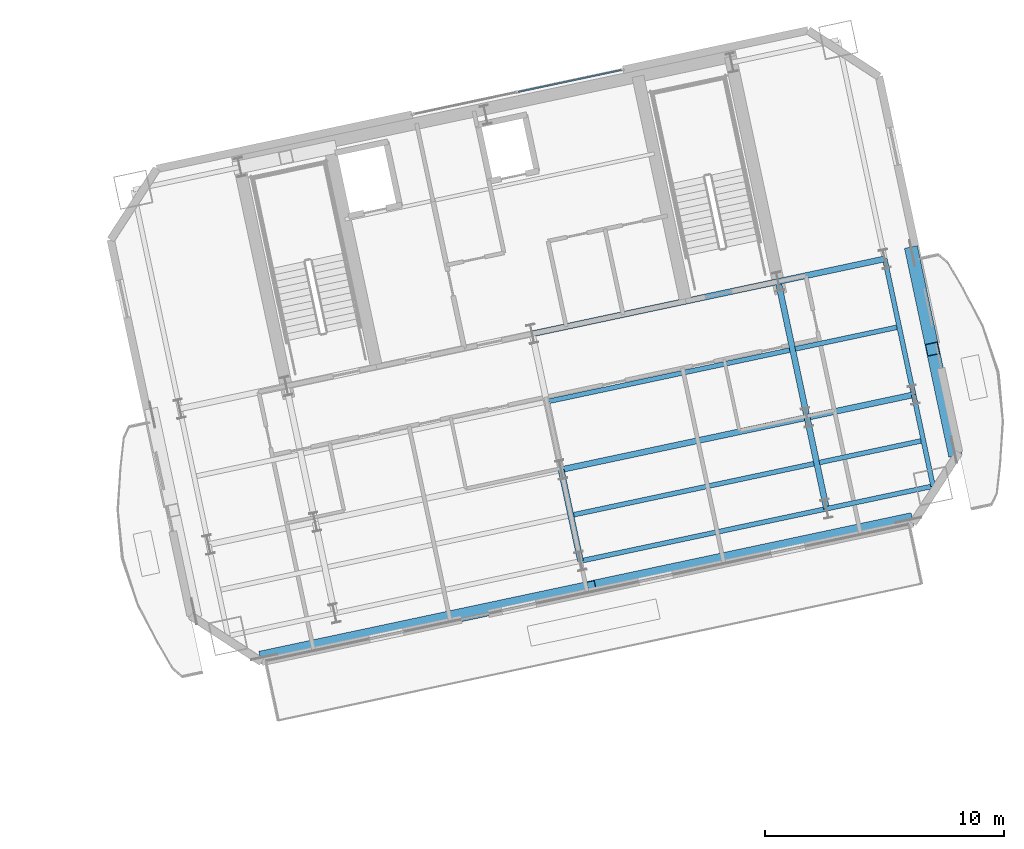
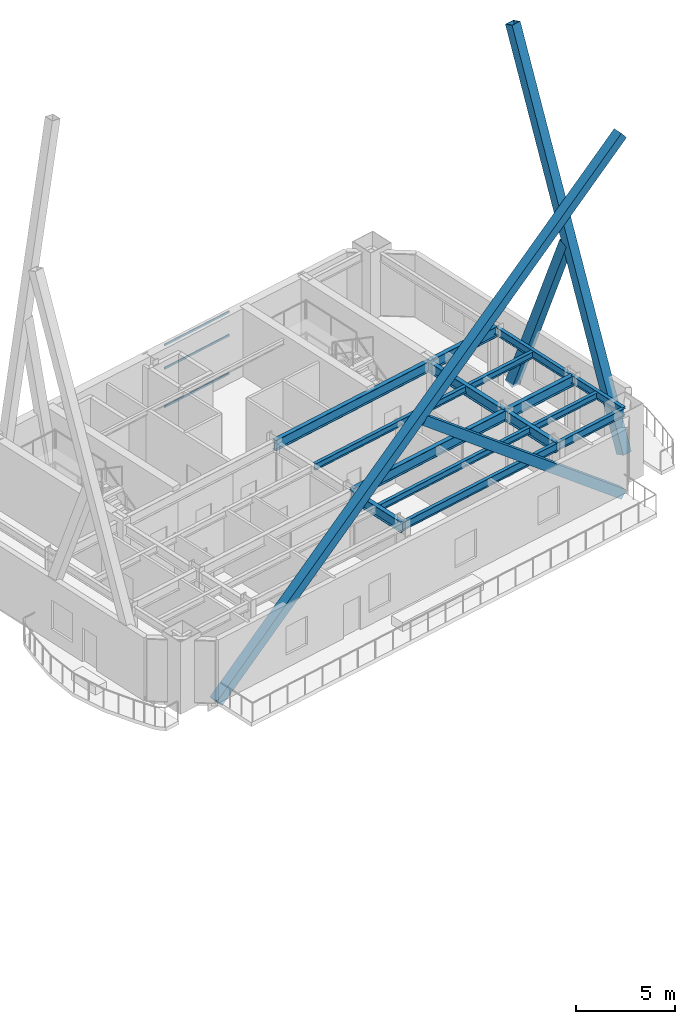
# One storey, part 7 of 22: 15 beams, 7 members, 1 element without a shape of its own.
"""IFC4 building model written with IfcOpenShell, lengths in metres."""

from ifc_helpers import new_model, si_unit, direction, frame, origin, origin_2d, place, context, subcontext, project, spatial, hollow_rectangle, i_section, extrude, material, layer, layer_set, material_profile, profile_set, type_object, element, aggregate, save


model = new_model("IFC4")

# Units and contexts
model_context = context("Model", 3, precision=1e-05, world=origin(), true_north=direction((0.0, 1.0)))
body_context = subcontext(model_context, "Body", "Model", "MODEL_VIEW")
ifc_project = project(units=[si_unit("LENGTHUNIT", "METRE"), si_unit("AREAUNIT", "SQUARE_METRE"), si_unit("VOLUMEUNIT", "CUBIC_METRE"), si_unit("PLANEANGLEUNIT", "RADIAN"), si_unit("MASSUNIT", "GRAM", prefix="KILO")], contexts=[model_context])

# Site, building, storey
site_placement = place(None, origin())
site = spatial("IfcSite", under=ifc_project, at=site_placement, CompositionType="ELEMENT")
building_placement = place(site_placement, origin())
building = spatial("IfcBuilding", under=site, at=building_placement, Name="Haevon Station Towers", CompositionType="ELEMENT")
storey_placement = place(building_placement, frame((0.0, 0.0, 133.800048828125)))
storey = spatial("IfcBuildingStorey", under=building, at=storey_placement, Name="L36", CompositionType="ELEMENT", Elevation=133.800048828125)

# Beams
ifc_material_1 = material(Name="Steel S355", Category="steel")
ifc_material_profile_1 = material_profile(ifc_material_1, i_section(OverallWidth=0.25, OverallDepth=0.64990234375, WebThickness=0.012939453125, FlangeThickness=0.02197265625, at=origin_2d()), Name="H-650x250x13x22")
ifc_profile_set_1 = profile_set([ifc_material_profile_1], Name="Steel S355")
beam_type_1 = type_object("IfcBeamType", Name="BM-G650", PredefinedType="BEAM", material=ifc_profile_set_1)
beam_1_placement = place(storey_placement, frame((110.228759765625, 33.9521484375, 3.594970703125), z_axis=(0.978146794194, 0.207915485254, 0.0), x_axis=(-0.207915485254, 0.978146794194, 0.0)))
element("IfcBeam", 1, at=beam_1_placement, inside=storey, type_object=beam_type_1, Name="BM-T2U-L36-02-03", PredefinedType="BEAM", context=body_context, shape_type="SweptSolid", body=[
    extrude(i_section(OverallWidth=0.25, OverallDepth=0.64990234375, WebThickness=0.012939453125, FlangeThickness=0.02197265625, at=origin_2d()), origin(), (0.0, 0.0, 1.0), 10.5),
])
beam_2_placement = place(storey_placement, frame((120.499267578125, 36.13525390625, 3.594970703125), z_axis=(0.978146576304, 0.207916510322, 0.0), x_axis=(-0.207916510322, 0.978146576304, 0.0)))
element("IfcBeam", 2, at=beam_2_placement, inside=storey, type_object=beam_type_1, Name="BM-T2U-L36-02-04", PredefinedType="BEAM", context=body_context, shape_type="SweptSolid", body=[
    extrude(i_section(OverallWidth=0.25, OverallDepth=0.64990234375, WebThickness=0.012939453125, FlangeThickness=0.02197265625, at=origin_2d()), origin(), (0.0, 0.0, 1.0), 4.550048828125),
])
beam_3_placement = place(storey_placement, frame((109.02294921875, 39.62548828125, 3.594970703125), z_axis=(0.978146794194, 0.207915485254, 0.0), x_axis=(-0.207915485254, 0.978146794194, 0.0)))
element("IfcBeam", 3, at=beam_3_placement, inside=storey, type_object=beam_type_1, Name="BM-T2U-L36-03-03", PredefinedType="BEAM", context=body_context, shape_type="SweptSolid", body=[
    extrude(i_section(OverallWidth=0.25, OverallDepth=0.64990234375, WebThickness=0.012939453125, FlangeThickness=0.02197265625, at=origin_2d()), origin(), (0.0, 0.0, 1.0), 10.5),
])
beam_4_placement = place(storey_placement, frame((119.29345703125, 41.80859375, 3.594970703125), z_axis=(0.978146576304, 0.207916510322, 0.0), x_axis=(-0.207916510322, 0.978146576304, 0.0)))
element("IfcBeam", 4, at=beam_4_placement, inside=storey, type_object=beam_type_1, Name="BM-T2U-L36-03-04", PredefinedType="BEAM", context=body_context, shape_type="SweptSolid", body=[
    extrude(i_section(OverallWidth=0.25, OverallDepth=0.64990234375, WebThickness=0.012939453125, FlangeThickness=0.02197265625, at=origin_2d()), origin(), (0.0, 0.0, 1.0), 4.550048828125),
])
for number, where, z_axis, x_axis, name in (
    (5, (111.03955078125, 30.137451171875, 3.594970703125), (-0.207899934746, 0.97815009949, 0.0), (-0.97815009949, -0.207899934746, 0.0), "BM-T2V-L36-03-01"),
    (6, (121.310302734375, 32.320556640625, 3.594970703125), (-0.207959829392, 0.978137367326, 0.0), (-0.978137367326, -0.207959829392, 0.0), "BM-T2V-L36-04-01"),
):
    element("IfcBeam", number, at=place(storey_placement, frame(where, z_axis=z_axis, x_axis=x_axis)), inside=storey, type_object=beam_type_1, Name=name, PredefinedType="BEAM", context=body_context, shape_type="SweptSolid", body=[
        extrude(i_section(OverallWidth=0.25, OverallDepth=0.64990234375, WebThickness=0.012939453125, FlangeThickness=0.02197265625, at=origin_2d()), origin(), (0.0, 0.0, 1.0), 3.89990234375),
    ])
beam_5_placement = place(storey_placement, frame((120.499267578125, 36.13525390625, 3.594970703125), z_axis=(-0.207896009217, 0.97815093383, 0.0), x_axis=(-0.97815093383, -0.207896009217, 0.0)))
element("IfcBeam", 7, at=beam_5_placement, inside=storey, type_object=beam_type_1, Name="BM-T2V-L36-04-02", PredefinedType="BEAM", context=body_context, shape_type="SweptSolid", body=[
    extrude(i_section(OverallWidth=0.25, OverallDepth=0.64990234375, WebThickness=0.012939453125, FlangeThickness=0.02197265625, at=origin_2d()), origin(), (0.0, 0.0, 1.0), 5.800048828125),
])
ifc_material_profile_2 = material_profile(ifc_material_1, i_section(OverallWidth=0.199951171875, OverallDepth=0.39990234375, WebThickness=0.008056640625, FlangeThickness=0.012939453125, at=origin_2d()), Name="H-400x200x8x13")
ifc_profile_set_2 = profile_set([ifc_material_profile_2], Name="Steel S355")
beam_type_2 = type_object("IfcBeamType", Name="BM-J400", PredefinedType="JOIST", material=ifc_profile_set_2)
beam_6_placement = place(storey_placement, frame((110.74169921875, 32.067626953125, 3.719970703125), z_axis=(0.978145509903, 0.207921527161, 0.0), x_axis=(-0.207921527161, 0.978145509903, 0.0)))
element("IfcBeam", 8, at=beam_6_placement, inside=storey, type_object=beam_type_2, Name="BM-T2J-L36-01-03", PredefinedType="JOIST", context=body_context, shape_type="SweptSolid", body=[
    extrude(i_section(OverallWidth=0.199951171875, OverallDepth=0.39990234375, WebThickness=0.008056640625, FlangeThickness=0.012939453125, at=origin_2d()), origin(), (0.0, 0.0, 1.0), 10.280029296875),
])
beam_7_placement = place(storey_placement, frame((121.012451171875, 34.250732421875, 3.719970703125), z_axis=(0.978141078405, 0.207942373597, 0.0), x_axis=(-0.207942373597, 0.978141078405, 0.0)))
element("IfcBeam", 9, at=beam_7_placement, inside=storey, type_object=beam_type_2, Name="BM-T2J-L36-01-04", PredefinedType="JOIST", context=body_context, shape_type="SweptSolid", body=[
    extrude(i_section(OverallWidth=0.199951171875, OverallDepth=0.39990234375, WebThickness=0.008056640625, FlangeThickness=0.012939453125, at=origin_2d()), origin(), (0.0, 0.0, 1.0), 4.330078125),
])
beam_8_placement = place(storey_placement, frame((109.7333984375, 36.811767578125, 3.719970703125), z_axis=(0.978150339653, 0.207898804801, 0.0), x_axis=(-0.207898804801, 0.978150339653, 0.0)))
element("IfcBeam", 10, at=beam_8_placement, inside=storey, type_object=beam_type_2, Name="BM-T2J-L36-02-03", PredefinedType="JOIST", context=body_context, shape_type="SweptSolid", body=[
    extrude(i_section(OverallWidth=0.199951171875, OverallDepth=0.39990234375, WebThickness=0.008056640625, FlangeThickness=0.012939453125, at=origin_2d()), origin(), (0.0, 0.0, 1.0), 10.280029296875),
])
beam_9_placement = place(storey_placement, frame((120.00390625, 38.994873046875, 3.719970703125), z_axis=(0.978152545287, 0.207888427166, 0.0), x_axis=(-0.207888427166, 0.978152545287, 0.0)))
element("IfcBeam", 11, at=beam_9_placement, inside=storey, type_object=beam_type_2, Name="BM-T2J-L36-02-04", PredefinedType="JOIST", context=body_context, shape_type="SweptSolid", body=[
    extrude(i_section(OverallWidth=0.199951171875, OverallDepth=0.39990234375, WebThickness=0.008056640625, FlangeThickness=0.012939453125, at=origin_2d()), origin(), (0.0, 0.0, 1.0), 4.329833984375),
])
ifc_material_profile_3 = material_profile(ifc_material_1, i_section(OverallWidth=0.199951171875, OverallDepth=0.5, WebThickness=0.010009765625, FlangeThickness=0.01611328125, at=origin_2d()), Name="H-500x200x10x16")
ifc_profile_set_3 = profile_set([ifc_material_profile_3], Name="Steel S355")
beam_type_3 = type_object("IfcBeamType", Name="BM-SP500", PredefinedType="SPANDREL", material=ifc_profile_set_3)
beam_10_placement = place(storey_placement, frame((111.03955078125, 30.137451171875, 3.669921875), z_axis=(0.978147799298, 0.207910756646, 0.0), x_axis=(-0.207910756646, 0.978147799298, 0.0)))
element("IfcBeam", 12, at=beam_10_placement, inside=storey, type_object=beam_type_3, Name="BM-T2U-L36-01-03", PredefinedType="SPANDREL", context=body_context, shape_type="SweptSolid", body=[
    extrude(i_section(OverallWidth=0.199951171875, OverallDepth=0.5, WebThickness=0.010009765625, FlangeThickness=0.01611328125, at=origin_2d()), origin(), (0.0, 0.0, 1.0), 10.500244140625),
])
beam_11_placement = place(storey_placement, frame((121.310302734375, 32.320556640625, 3.669921875), z_axis=(0.978144256617, 0.207927423029, 0.0), x_axis=(-0.207927423029, 0.978144256617, 0.0)))
element("IfcBeam", 13, at=beam_11_placement, inside=storey, type_object=beam_type_3, Name="BM-T2U-L36-01-04", PredefinedType="SPANDREL", context=body_context, shape_type="SweptSolid", body=[
    extrude(i_section(OverallWidth=0.199951171875, OverallDepth=0.5, WebThickness=0.010009765625, FlangeThickness=0.01611328125, at=origin_2d()), origin(), (0.0, 0.0, 1.0), 4.5498046875),
])
beam_12_placement = place(storey_placement, frame((125.7607421875, 33.2666015625, 3.669921875), z_axis=(-0.207899934746, 0.97815009949, 0.0), x_axis=(-0.97815009949, -0.207899934746, 0.0)))
element("IfcBeam", 14, at=beam_12_placement, inside=storey, type_object=beam_type_3, Name="BM-T2V-L36-05-01", PredefinedType="SPANDREL", context=body_context, shape_type="SweptSolid", body=[
    extrude(i_section(OverallWidth=0.199951171875, OverallDepth=0.5, WebThickness=0.010009765625, FlangeThickness=0.01611328125, at=origin_2d()), origin(), (0.0, 0.0, 1.0), 3.89990234375),
])
beam_13_placement = place(storey_placement, frame((124.949951171875, 37.081298828125, 3.669921875), z_axis=(-0.207896009217, 0.97815093383, 0.0), x_axis=(-0.97815093383, -0.207896009217, 0.0)))
element("IfcBeam", 15, at=beam_13_placement, inside=storey, type_object=beam_type_3, Name="BM-T2V-L36-05-02", PredefinedType="SPANDREL", context=body_context, shape_type="SweptSolid", body=[
    extrude(i_section(OverallWidth=0.199951171875, OverallDepth=0.5, WebThickness=0.010009765625, FlangeThickness=0.01611328125, at=origin_2d()), origin(), (0.0, 0.0, 1.0), 5.800048828125),
])

# Curtain wall, members
ifc_material_2 = material(Name="Anodised aluminium and Low-E double glazing", Category="aluminium")
ifc_layer = layer(ifc_material_2, 0.179931640625)
ifc_layer_set = layer_set([ifc_layer], Name="Anodised aluminium and Low-E double glazing")
curtain_wall_type = type_object("IfcCurtainWallType", Name="CW-SYS5", PredefinedType="NOTDEFINED", material=ifc_layer_set)
curtain_wall_placement = place(storey_placement, origin())
curtain_wall = element("IfcCurtainWall", 16, at=curtain_wall_placement, inside=storey, type_object=curtain_wall_type, Name="L36 Curtain Wall CW-T2-L36-N", PredefinedType="NOTDEFINED")
ifc_material_3 = material(Name="Anodised aluminium 6063-T6", Category="aluminium")
ifc_material_profile_4 = material_profile(ifc_material_3, hollow_rectangle(XDim=0.06005859375, YDim=0.1201171875, WallThickness=0.0029296875, at=origin_2d()), Name="CWT-120x60x3")
ifc_profile_set_4 = profile_set([ifc_material_profile_4], Name="Anodised aluminium 6063-T6")
member_type_1 = type_object("IfcMemberType", Name="CWT-120", PredefinedType="USERDEFINED", material=ifc_profile_set_4)
member_1_placement = place(storey_placement, frame((108.4404296875, 49.72509765625, 0.030029296875), z_axis=(0.9781526595, 0.207887889768, 0.0), x_axis=(-0.207887889768, 0.9781526595, 0.0)))
member_1 = element("IfcMember", 17, at=member_1_placement, type_object=member_type_1, Name="CW-SYS5 transom 2.1", ObjectType="TRANSOM", PredefinedType="USERDEFINED", context=body_context, shape_type="SweptSolid", body=[
    extrude(hollow_rectangle(XDim=0.06005859375, YDim=0.1201171875, WallThickness=0.0029296875, at=origin_2d()), origin(), (0.0, 0.0, 1.0), 4.409912109375),
])
member_2_placement = place(storey_placement, frame((108.4404296875, 49.72509765625, 2.3994140625), z_axis=(0.9781526595, 0.207887889768, 0.0), x_axis=(-0.207887889768, 0.9781526595, 0.0)))
member_2 = element("IfcMember", 18, at=member_2_placement, type_object=member_type_1, Name="CW-SYS5 transom 2.2", ObjectType="TRANSOM", PredefinedType="USERDEFINED", context=body_context, shape_type="SweptSolid", body=[
    extrude(hollow_rectangle(XDim=0.06005859375, YDim=0.1201171875, WallThickness=0.0029296875, at=origin_2d()), origin(), (0.0, 0.0, 1.0), 4.409912109375),
])
member_3_placement = place(storey_placement, frame((108.4404296875, 49.72509765625, 3.83984375), z_axis=(0.9781526595, 0.207887889768, 0.0), x_axis=(-0.207887889768, 0.9781526595, 0.0)))
member_3 = element("IfcMember", 19, at=member_3_placement, type_object=member_type_1, Name="CW-SYS5 transom 2.3", ObjectType="TRANSOM", PredefinedType="USERDEFINED", context=body_context, shape_type="SweptSolid", body=[
    extrude(hollow_rectangle(XDim=0.06005859375, YDim=0.1201171875, WallThickness=0.0029296875, at=origin_2d()), origin(), (0.0, 0.0, 1.0), 4.409912109375),
])
aggregate(curtain_wall, [member_1, member_2, member_3])

# Members
ifc_material_4 = material(Name="Steel S460", Category="steel")
ifc_material_profile_5 = material_profile(ifc_material_4, hollow_rectangle(XDim=0.550048828125, YDim=0.550048828125, WallThickness=0.028076171875, at=origin_2d()), Name="RHS-550x550x28")
ifc_profile_set_5 = profile_set([ifc_material_profile_5], Name="Steel S460")
member_type_2 = type_object("IfcMemberType", Name="MB-550", PredefinedType="BRACE", material=ifc_profile_set_5)
member_4_placement = place(storey_placement, frame((97.833251953125, 26.13427734375, -0.1201171875), z_axis=(0.761502449833, 0.161860480424, 0.627626643615), x_axis=(-0.207909402451, 0.978148087138, 0.0)))
element("IfcMember", 20, at=member_4_placement, inside=storey, type_object=member_type_2, Name="BR-T2MB-T05-S-D1", PredefinedType="BRACE", context=body_context, shape_type="SweptSolid", body=[
    extrude(hollow_rectangle(XDim=0.550048828125, YDim=0.550048828125, WallThickness=0.028076171875, at=origin_2d()), origin(), (0.0, 0.0, 1.0), 35.32373046875),
])
member_5_placement = place(storey_placement, frame((124.732421875, 31.851806640625, -0.1201171875), z_axis=(-0.76149891679, -0.161857512317, 0.62763169569), x_axis=(0.207906677625, -0.978148666307, 0.0)))
element("IfcMember", 21, at=member_5_placement, inside=storey, type_object=member_type_2, Name="BR-T2MB-T05-S-D2A", PredefinedType="BRACE", context=body_context, shape_type="SweptSolid", body=[
    extrude(hollow_rectangle(XDim=0.550048828125, YDim=0.550048828125, WallThickness=0.028076171875, at=origin_2d()), origin(), (0.0, 0.0, 1.0), 17.375),
])
member_6_placement = place(storey_placement, frame((126.635009765625, 34.78125, -0.1201171875), z_axis=(-0.073669968179, 0.346570139651, 0.935126662058), x_axis=(-0.978145183693, -0.207923061778, 0.0)))
element("IfcMember", 22, at=member_6_placement, inside=storey, type_object=member_type_2, Name="BR-T2MB-T05-E-D1", PredefinedType="BRACE", context=body_context, shape_type="SweptSolid", body=[
    extrude(hollow_rectangle(XDim=0.550048828125, YDim=0.550048828125, WallThickness=0.028076171875, at=origin_2d()), origin(), (0.0, 0.0, 1.0), 23.708251953125),
])
member_7_placement = place(storey_placement, frame((124.888427734375, 42.997802734375, -0.1201171875), z_axis=(0.073661984953, -0.346570141241, 0.935127290358), x_axis=(0.978149766108, 0.207901503271, 0.0)))
element("IfcMember", 23, at=member_7_placement, inside=storey, type_object=member_type_2, Name="BR-T2MB-T05-E-D2A", PredefinedType="BRACE", context=body_context, shape_type="SweptSolid", body=[
    extrude(hollow_rectangle(XDim=0.550048828125, YDim=0.550048828125, WallThickness=0.028076171875, at=origin_2d()), origin(), (0.0, 0.0, 1.0), 11.567138671875),
])

save(model, "model.ifc")
